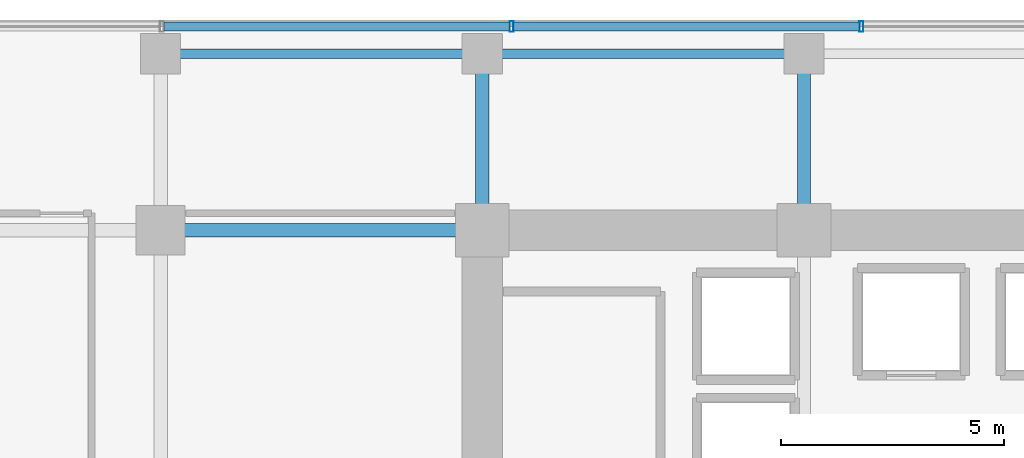
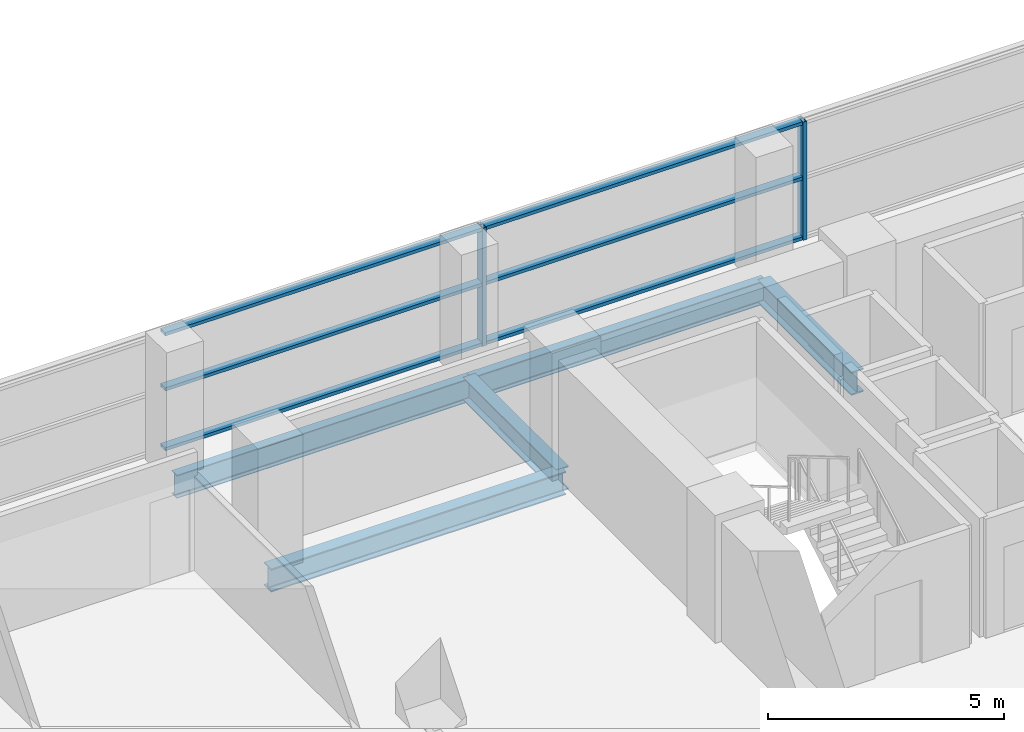
# One storey, part 18 of 31: 8 members, 5 beams, 1 element without a shape of its own.
"""IFC4 building model written with IfcOpenShell, lengths in metres."""

from ifc_helpers import new_model, si_unit, direction, frame, origin, origin_2d, place, context, subcontext, project, spatial, hollow_rectangle, i_section, extrude, source, transform, mapped, material, layer, layer_set, material_profile, profile_set, type_object, element, aggregate, save


model = new_model("IFC4")

# Units and contexts
model_context = context("Model", 3, precision=1e-05, world=origin(), true_north=direction((0.0, 1.0)))
body_context = subcontext(model_context, "Body", "Model", "MODEL_VIEW")
ifc_project = project(units=[si_unit("LENGTHUNIT", "METRE"), si_unit("AREAUNIT", "SQUARE_METRE"), si_unit("VOLUMEUNIT", "CUBIC_METRE"), si_unit("PLANEANGLEUNIT", "RADIAN"), si_unit("MASSUNIT", "GRAM", prefix="KILO")], contexts=[model_context])

# Site, building, storey
site_placement = place(None, origin())
site = spatial("IfcSite", under=ifc_project, at=site_placement, CompositionType="ELEMENT")
building_placement = place(site_placement, origin())
building = spatial("IfcBuilding", under=site, at=building_placement, Name="Zarnakvel Exchange Tower", CompositionType="ELEMENT")
storey_placement = place(building_placement, frame((0.0, 0.0, 47.199951171875)))
storey = spatial("IfcBuildingStorey", under=building, at=storey_placement, Name="L12", CompositionType="ELEMENT", Elevation=47.199951171875)

# Beams
ifc_material_1 = material(Name="Steel S355", Category="steel")
ifc_material_profile_1 = material_profile(ifc_material_1, i_section(OverallWidth=0.300048828125, OverallDepth=0.60009765625, WebThickness=0.015380859375, FlangeThickness=0.030029296875, FilletRadius=0.027099609375, at=origin_2d()))
ifc_profile_set_1 = profile_set([ifc_material_profile_1], Name="Steel S355")
beam_type_1 = type_object("IfcBeamType", Name="G-04", PredefinedType="BEAM", material=ifc_profile_set_1)
beam_1_placement = place(storey_placement, frame((-21.60009765625, 13.5, -0.52490234375), z_axis=(1.0, 0.0, 0.0), x_axis=(0.0, 1.0, 0.0)))
element("IfcBeam", 1, at=beam_1_placement, inside=storey, type_object=beam_type_1, Name="L12 Tower E-W Frame Beam", PredefinedType="BEAM", context=body_context, shape_type="SweptSolid", body=[
    extrude(i_section(OverallWidth=0.300048828125, OverallDepth=0.60009765625, WebThickness=0.015380859375, FlangeThickness=0.030029296875, FilletRadius=0.027099609375, at=origin_2d()), origin(), (0.0, 0.0, 1.0), 7.2001953125),
])
for number, where, z_axis, x_axis, name in (
    (2, (-14.39990234375, 13.5, -0.52490234375), (0.0, 1.0, 0.0), (-1.0, 0.0, 0.0), "L12 Tower N-S Frame Beam"),
    (3, (-7.199951171875, 13.5, -0.52490234375), (0.0, 1.0, 0.0), (-1.0, 0.0, 0.0), "L12 Tower N-S Frame Beam"),
):
    element("IfcBeam", number, at=place(storey_placement, frame(where, z_axis=z_axis, x_axis=x_axis)), inside=storey, type_object=beam_type_1, Name=name, PredefinedType="BEAM", context=body_context, shape_type="SweptSolid", body=[
        extrude(i_section(OverallWidth=0.300048828125, OverallDepth=0.60009765625, WebThickness=0.015380859375, FlangeThickness=0.030029296875, FilletRadius=0.027099609375, at=origin_2d()), origin(), (0.0, 0.0, 1.0), 3.949951171875),
    ])
ifc_material_profile_2 = material_profile(ifc_material_1, i_section(OverallWidth=0.219970703125, OverallDepth=0.60009765625, WebThickness=0.011962890625, FlangeThickness=0.01904296875, FilletRadius=0.02392578125, at=origin_2d()))
ifc_profile_set_2 = profile_set([ifc_material_profile_2], Name="Steel S355")
beam_type_2 = type_object("IfcBeamType", Name="SP-01", PredefinedType="SPANDREL", material=ifc_profile_set_2)
beam_2_placement = place(storey_placement, frame((-21.60009765625, 17.449951171875, -0.52490234375), z_axis=(1.0, 0.0, 0.0), x_axis=(0.0, 1.0, 0.0)))
element("IfcBeam", 4, at=beam_2_placement, inside=storey, type_object=beam_type_2, Name="L12 Tower E-W Frame Beam", PredefinedType="SPANDREL", context=body_context, shape_type="SweptSolid", body=[
    extrude(i_section(OverallWidth=0.219970703125, OverallDepth=0.60009765625, WebThickness=0.011962890625, FlangeThickness=0.01904296875, FilletRadius=0.02392578125, at=origin_2d()), origin(), (0.0, 0.0, 1.0), 7.2001953125),
])
beam_3_placement = place(storey_placement, frame((-14.39990234375, 17.449951171875, -0.52490234375), z_axis=(1.0, 0.0, 0.0), x_axis=(0.0, 1.0, 0.0)))
element("IfcBeam", 5, at=beam_3_placement, inside=storey, type_object=beam_type_2, Name="L12 Tower E-W Frame Beam", PredefinedType="SPANDREL", context=body_context, shape_type="SweptSolid", body=[
    extrude(i_section(OverallWidth=0.219970703125, OverallDepth=0.60009765625, WebThickness=0.011962890625, FlangeThickness=0.01904296875, FilletRadius=0.02392578125, at=origin_2d()), origin(), (0.0, 0.0, 1.0), 7.199951171875),
])

# Curtain wall, members
ifc_material_2 = material(Name="Architectural Bronze Anodised Aluminium", Category="aluminium")
ifc_layer = layer(ifc_material_2, 0.239990234375)
ifc_layer_set = layer_set([ifc_layer], Name="Architectural Bronze Anodised Aluminium")
curtain_wall_type = type_object("IfcCurtainWallType", Name="CW-02", PredefinedType="NOTDEFINED", material=ifc_layer_set)
curtain_wall_placement = place(storey_placement, origin())
curtain_wall = element("IfcCurtainWall", 6, at=curtain_wall_placement, inside=storey, type_object=curtain_wall_type, Name="L12 Curtain Wall CW-L12-N1 (CW-02)", PredefinedType="NOTDEFINED")
ifc_material_profile_3 = material_profile(ifc_material_2, hollow_rectangle(XDim=0.199951171875, YDim=0.0849609375, WallThickness=0.0048828125, at=origin_2d()))
ifc_profile_set_3 = profile_set([ifc_material_profile_3], Name="Architectural Bronze Anodised Aluminium")
member_type_1 = type_object("IfcMemberType", Name="CWT-02", PredefinedType="USERDEFINED", material=ifc_profile_set_3)
shared_shape_1 = source(origin(), body_context, "Body", "SweptSolid", [
    extrude(hollow_rectangle(XDim=0.199951171875, YDim=0.0849609375, WallThickness=0.0048828125, at=origin_2d()), origin(), (0.0, 0.0, 1.0), 7.738525390625),
])
member_1_placement = place(storey_placement, frame((-21.5263671875, 18.06005859375, 0.04248046875), z_axis=(1.0, 0.0, 0.0), x_axis=(0.0, 1.0, 0.0)))
member_1 = element("IfcMember", 7, at=member_1_placement, type_object=member_type_1, Name="CW-02 transom 2.1", ObjectType="TRANSOM", PredefinedType="USERDEFINED", context=body_context, shape_type="MappedRepresentation", body=[
    mapped(shared_shape_1, transform((0.0, 0.0, 0.0), x_axis=(1.0, 0.0, 0.0), y_axis=(0.0, 1.0, 0.0), z_axis=(0.0, 0.0, 1.0), scale=1.0)),
])
member_2_placement = place(storey_placement, frame((-21.5263671875, 18.06005859375, 1.588623046875), z_axis=(1.0, 0.0, 0.0), x_axis=(0.0, 1.0, 0.0)))
member_2 = element("IfcMember", 8, at=member_2_placement, type_object=member_type_1, Name="CW-02 transom 2.2", ObjectType="TRANSOM", PredefinedType="USERDEFINED", context=body_context, shape_type="MappedRepresentation", body=[
    mapped(shared_shape_1, transform((0.0, 0.0, 0.0), x_axis=(1.0, 0.0, 0.0), y_axis=(0.0, 1.0, 0.0), z_axis=(0.0, 0.0, 1.0), scale=1.0)),
])
member_3_placement = place(storey_placement, frame((-21.5263671875, 18.06005859375, 3.012451171875), z_axis=(1.0, 0.0, 0.0), x_axis=(0.0, 1.0, 0.0)))
member_3 = element("IfcMember", 9, at=member_3_placement, type_object=member_type_1, Name="CW-02 transom 2.3", ObjectType="TRANSOM", PredefinedType="USERDEFINED", context=body_context, shape_type="MappedRepresentation", body=[
    mapped(shared_shape_1, transform((0.0, 0.0, 0.0), x_axis=(1.0, 0.0, 0.0), y_axis=(0.0, 1.0, 0.0), z_axis=(0.0, 0.0, 1.0), scale=1.0)),
])
member_4_placement = place(storey_placement, frame((-13.69775390625, 18.06005859375, 0.04248046875), z_axis=(1.0, 0.0, 0.0), x_axis=(0.0, 1.0, 0.0)))
member_4 = element("IfcMember", 10, at=member_4_placement, type_object=member_type_1, Name="CW-02 transom 3.1", ObjectType="TRANSOM", PredefinedType="USERDEFINED", context=body_context, shape_type="MappedRepresentation", body=[
    mapped(shared_shape_1, transform((0.0, 0.0, 0.0), x_axis=(1.0, 0.0, 0.0), y_axis=(0.0, 1.0, 0.0), z_axis=(0.0, 0.0, 1.0), scale=1.0)),
])
member_5_placement = place(storey_placement, frame((-13.69775390625, 18.06005859375, 1.588623046875), z_axis=(1.0, 0.0, 0.0), x_axis=(0.0, 1.0, 0.0)))
member_5 = element("IfcMember", 11, at=member_5_placement, type_object=member_type_1, Name="CW-02 transom 3.2", ObjectType="TRANSOM", PredefinedType="USERDEFINED", context=body_context, shape_type="MappedRepresentation", body=[
    mapped(shared_shape_1, transform((0.0, 0.0, 0.0), x_axis=(1.0, 0.0, 0.0), y_axis=(0.0, 1.0, 0.0), z_axis=(0.0, 0.0, 1.0), scale=1.0)),
])
member_6_placement = place(storey_placement, frame((-13.69775390625, 18.06005859375, 3.012451171875), z_axis=(1.0, 0.0, 0.0), x_axis=(0.0, 1.0, 0.0)))
member_6 = element("IfcMember", 12, at=member_6_placement, type_object=member_type_1, Name="CW-02 transom 3.3", ObjectType="TRANSOM", PredefinedType="USERDEFINED", context=body_context, shape_type="MappedRepresentation", body=[
    mapped(shared_shape_1, transform((0.0, 0.0, 0.0), x_axis=(1.0, 0.0, 0.0), y_axis=(0.0, 1.0, 0.0), z_axis=(0.0, 0.0, 1.0), scale=1.0)),
])
ifc_material_profile_4 = material_profile(ifc_material_2, hollow_rectangle(XDim=0.239990234375, YDim=0.090087890625, WallThickness=0.006103515625, at=origin_2d()))
ifc_profile_set_4 = profile_set([ifc_material_profile_4], Name="Architectural Bronze Anodised Aluminium")
member_type_2 = type_object("IfcMemberType", Name="CWM-02", PredefinedType="MULLION", material=ifc_profile_set_4)
shared_shape_2 = source(origin(), body_context, "Body", "SweptSolid", [
    extrude(hollow_rectangle(XDim=0.239990234375, YDim=0.090087890625, WallThickness=0.006103515625, at=origin_2d()), origin(), (0.0, 0.0, 1.0), 3.054931640625),
])
member_7_placement = place(storey_placement, frame((-13.742919921875, 18.06005859375, 0.0), z_axis=(0.0, 0.0, 1.0), x_axis=(0.0, 1.0, 0.0)))
member_7 = element("IfcMember", 13, at=member_7_placement, type_object=member_type_2, Name="CW-02 mullion 3", PredefinedType="MULLION", context=body_context, shape_type="MappedRepresentation", body=[
    mapped(shared_shape_2, transform((0.0, 0.0, 0.0), x_axis=(1.0, 0.0, 0.0), y_axis=(0.0, 1.0, 0.0), z_axis=(0.0, 0.0, 1.0), scale=1.0)),
])
member_8_placement = place(storey_placement, frame((-5.914306640625, 18.06005859375, 0.0), z_axis=(0.0, 0.0, 1.0), x_axis=(0.0, 1.0, 0.0)))
member_8 = element("IfcMember", 14, at=member_8_placement, type_object=member_type_2, Name="CW-02 mullion 4", PredefinedType="MULLION", context=body_context, shape_type="MappedRepresentation", body=[
    mapped(shared_shape_2, transform((0.0, 0.0, 0.0), x_axis=(1.0, 0.0, 0.0), y_axis=(0.0, 1.0, 0.0), z_axis=(0.0, 0.0, 1.0), scale=1.0)),
])
aggregate(curtain_wall, [member_7, member_8, member_1, member_2, member_3, member_4, member_5, member_6])

save(model, "model.ifc")
